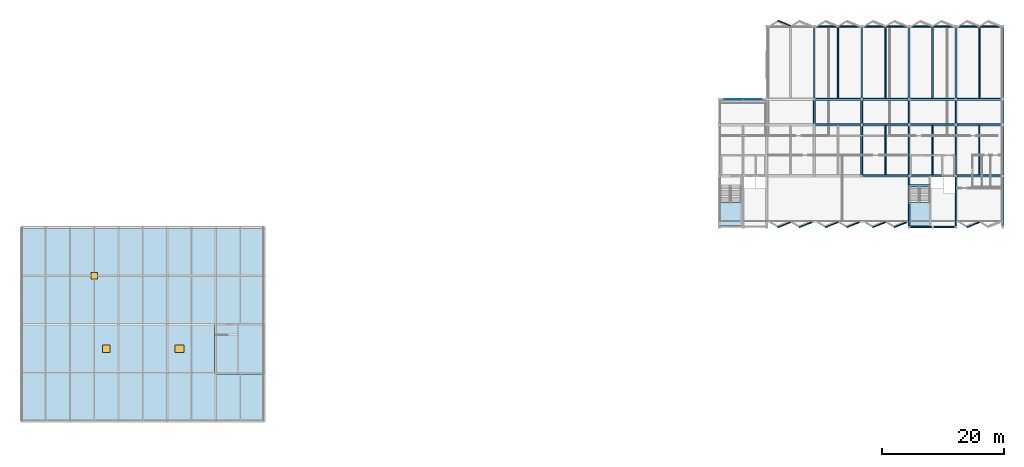
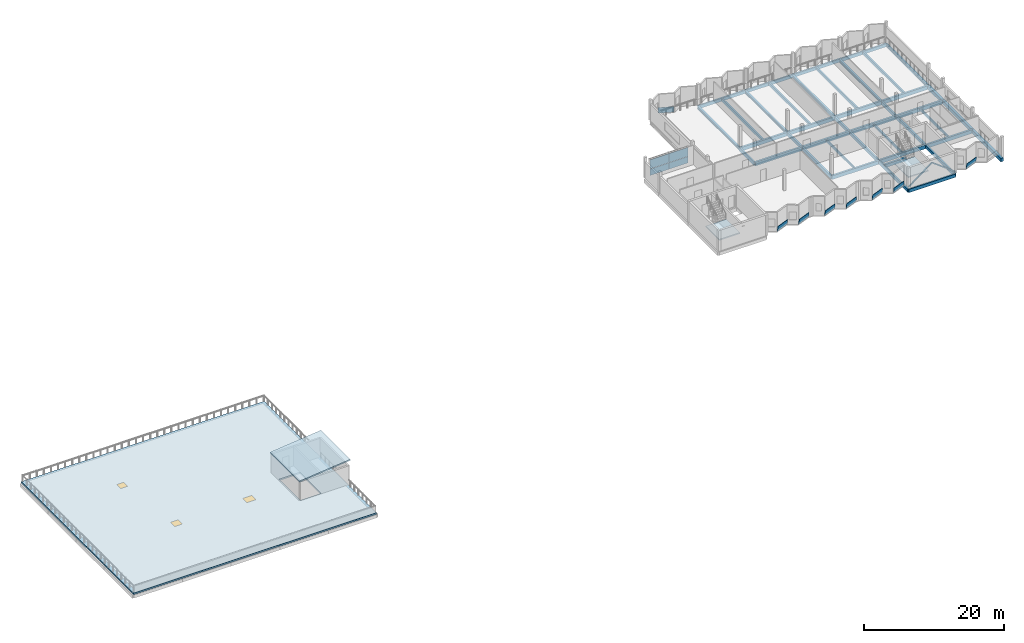
# One storey, part 4 of 15: 41 beams, 12 plates, 4 slabs, 2 members, 2 windows, 1 door, 3 openings, 3 elements without a shape of their own.
"""IFC4 building model written with IfcOpenShell, lengths in metres."""

from ifc_helpers import new_model, si_unit, direction, frame, origin, origin_2d, place, context, subcontext, project, spatial, polyline, rectangle, hollow_rectangle, i_section, outline, extrude, material, layer, layer_set, material_profile, profile_set, type_object, element, fill, aggregate, save


model = new_model("IFC4")

# Units and contexts
model_context = context("Model", 3, precision=1e-05, world=origin(), true_north=direction((0.0, 1.0)))
body_context = subcontext(model_context, "Body", "Model", "MODEL_VIEW")
ifc_project = project(units=[si_unit("LENGTHUNIT", "METRE"), si_unit("AREAUNIT", "SQUARE_METRE"), si_unit("VOLUMEUNIT", "CUBIC_METRE"), si_unit("PLANEANGLEUNIT", "RADIAN"), si_unit("MASSUNIT", "GRAM", prefix="KILO")], contexts=[model_context])

# Site, building, storey
site_placement = place(None, origin())
site = spatial("IfcSite", under=ifc_project, at=site_placement, CompositionType="ELEMENT")
building_placement = place(site_placement, origin())
building = spatial("IfcBuilding", under=site, at=building_placement, Name="Vharandega Faculty of Natural Sciences", CompositionType="ELEMENT")
storey_placement = place(building_placement, frame((0.0, 0.0, 32.39990234375)))
storey = spatial("IfcBuildingStorey", under=building, at=storey_placement, Name="L08", CompositionType="ELEMENT", Elevation=32.39990234375)

# Beams
ifc_material_1 = material(Name="Glulam GL28h", Category="wood")
ifc_material_profile_1 = material_profile(ifc_material_1, rectangle(XDim=0.280029296875, YDim=0.56005859375, at=origin_2d()), Name="GL28h 280x560")
ifc_profile_set_1 = profile_set([ifc_material_profile_1], Name="Glulam GL28h")
beam_type_1 = type_object("IfcBeamType", Name="Glulam Floor Beam 280x560", PredefinedType="BEAM", material=ifc_profile_set_1)
beam_1_placement = place(storey_placement, frame((130.39990234375, 80.800048828125, -0.5), z_axis=(0.0, 1.0, 0.0), x_axis=(-1.0, 0.0, 0.0)))
element("IfcBeam", 1, at=beam_1_placement, inside=storey, type_object=beam_type_1, Name="Beam L08 17/L-M", PredefinedType="BEAM", context=body_context, shape_type="SweptSolid", body=[
    extrude(rectangle(XDim=0.280029296875, YDim=0.56005859375, at=origin_2d()), origin(), (0.0, 0.0, 1.0), 4.199951171875),
])
beam_2_placement = place(storey_placement, frame((138.199951171875, 72.39990234375, -0.5), z_axis=(0.0, 1.0, 0.0), x_axis=(-1.0, 0.0, 0.0)))
element("IfcBeam", 2, at=beam_2_placement, inside=storey, type_object=beam_type_1, Name="Beam L08 18/K-L", PredefinedType="BEAM", context=body_context, shape_type="SweptSolid", body=[
    extrude(rectangle(XDim=0.280029296875, YDim=0.56005859375, at=origin_2d()), origin(), (0.0, 0.0, 1.0), 8.400146484375),
])
beam_3_placement = place(storey_placement, frame((138.199951171875, 80.800048828125, -0.5), z_axis=(0.0, 1.0, 0.0), x_axis=(-1.0, 0.0, 0.0)))
element("IfcBeam", 3, at=beam_3_placement, inside=storey, type_object=beam_type_1, Name="Beam L08 18/L-M", PredefinedType="BEAM", context=body_context, shape_type="SweptSolid", body=[
    extrude(rectangle(XDim=0.280029296875, YDim=0.56005859375, at=origin_2d()), origin(), (0.0, 0.0, 1.0), 4.199951171875),
])
beam_4_placement = place(storey_placement, frame((146.0, 64.0, -0.5), z_axis=(0.0, 1.0, 0.0), x_axis=(-1.0, 0.0, 0.0)))
element("IfcBeam", 4, at=beam_4_placement, inside=storey, type_object=beam_type_1, Name="Beam L08 19/J-K", PredefinedType="BEAM", context=body_context, shape_type="SweptSolid", body=[
    extrude(rectangle(XDim=0.280029296875, YDim=0.56005859375, at=origin_2d()), origin(), (0.0, 0.0, 1.0), 8.39990234375),
])
beam_5_placement = place(storey_placement, frame((146.0, 72.39990234375, -0.5), z_axis=(0.0, 1.0, 0.0), x_axis=(-1.0, 0.0, 0.0)))
element("IfcBeam", 5, at=beam_5_placement, inside=storey, type_object=beam_type_1, Name="Beam L08 19/K-L", PredefinedType="BEAM", context=body_context, shape_type="SweptSolid", body=[
    extrude(rectangle(XDim=0.280029296875, YDim=0.56005859375, at=origin_2d()), origin(), (0.0, 0.0, 1.0), 8.400146484375),
])
beam_6_placement = place(storey_placement, frame((146.0, 80.800048828125, -0.5), z_axis=(0.0, 1.0, 0.0), x_axis=(-1.0, 0.0, 0.0)))
element("IfcBeam", 6, at=beam_6_placement, inside=storey, type_object=beam_type_1, Name="Beam L08 19/L-M", PredefinedType="BEAM", context=body_context, shape_type="SweptSolid", body=[
    extrude(rectangle(XDim=0.280029296875, YDim=0.56005859375, at=origin_2d()), origin(), (0.0, 0.0, 1.0), 4.199951171875),
])
beam_7_placement = place(storey_placement, frame((153.699951171875, 64.0, -0.5), z_axis=(0.0, 1.0, 0.0), x_axis=(-1.0, 0.0, 0.0)))
element("IfcBeam", 7, at=beam_7_placement, inside=storey, type_object=beam_type_1, Name="Beam L08 20/J-K", PredefinedType="BEAM", context=body_context, shape_type="SweptSolid", body=[
    extrude(rectangle(XDim=0.280029296875, YDim=0.56005859375, at=origin_2d()), origin(), (0.0, 0.0, 1.0), 8.39990234375),
])
beam_8_placement = place(storey_placement, frame((153.699951171875, 72.39990234375, -0.5), z_axis=(0.0, 1.0, 0.0), x_axis=(-1.0, 0.0, 0.0)))
element("IfcBeam", 8, at=beam_8_placement, inside=storey, type_object=beam_type_1, Name="Beam L08 20/K-L", PredefinedType="BEAM", context=body_context, shape_type="SweptSolid", body=[
    extrude(rectangle(XDim=0.280029296875, YDim=0.56005859375, at=origin_2d()), origin(), (0.0, 0.0, 1.0), 8.400146484375),
])
beam_9_placement = place(storey_placement, frame((153.699951171875, 80.800048828125, -0.5), z_axis=(0.0, 1.0, 0.0), x_axis=(-1.0, 0.0, 0.0)))
element("IfcBeam", 9, at=beam_9_placement, inside=storey, type_object=beam_type_1, Name="Beam L08 20/L-M", PredefinedType="BEAM", context=body_context, shape_type="SweptSolid", body=[
    extrude(rectangle(XDim=0.280029296875, YDim=0.56005859375, at=origin_2d()), origin(), (0.0, 0.0, 1.0), 4.199951171875),
])
ifc_material_2 = material(Name="Glulam GL28h", Category="wood")
ifc_material_profile_2 = material_profile(ifc_material_2, rectangle(XDim=0.320068359375, YDim=0.639892578125, at=origin_2d()), Name="GL28h 320x640")
ifc_profile_set_2 = profile_set([ifc_material_profile_2], Name="Glulam GL28h")
beam_type_2 = type_object("IfcBeamType", Name="Glulam Floor Beam 320x640", PredefinedType="BEAM", material=ifc_profile_set_2)
beam_10_placement = place(storey_placement, frame((138.199951171875, 72.39990234375, -0.539794921875), z_axis=(1.0, 0.0, 0.0), x_axis=(0.0, 1.0, 0.0)))
element("IfcBeam", 10, at=beam_10_placement, inside=storey, type_object=beam_type_2, Name="Beam L08 K/18-19", PredefinedType="BEAM", context=body_context, shape_type="SweptSolid", body=[
    extrude(rectangle(XDim=0.320068359375, YDim=0.639892578125, at=origin_2d()), origin(), (0.0, 0.0, 1.0), 7.800048828125),
])
for number, where, z_axis, x_axis, name in (
    (11, (146.0, 72.39990234375, -0.539794921875), (1.0, 0.0, 0.0), (0.0, 1.0, 0.0), "Beam L08 K/19-20"),
    (12, (153.699951171875, 72.39990234375, -0.539794921875), (1.0, 0.0, 0.0), (0.0, 1.0, 0.0), "Beam L08 K/20-21"),
):
    element("IfcBeam", number, at=place(storey_placement, frame(where, z_axis=z_axis, x_axis=x_axis)), inside=storey, type_object=beam_type_2, Name=name, PredefinedType="BEAM", context=body_context, shape_type="SweptSolid", body=[
        extrude(rectangle(XDim=0.320068359375, YDim=0.639892578125, at=origin_2d()), origin(), (0.0, 0.0, 1.0), 7.699951171875),
    ])
for number, where, z_axis, x_axis, name in (
    (13, (130.39990234375, 80.800048828125, -0.539794921875), (1.0, 0.0, 0.0), (0.0, 1.0, 0.0), "Beam L08 L/17-18"),
    (14, (138.199951171875, 80.800048828125, -0.539794921875), (1.0, 0.0, 0.0), (0.0, 1.0, 0.0), "Beam L08 L/18-19"),
):
    element("IfcBeam", number, at=place(storey_placement, frame(where, z_axis=z_axis, x_axis=x_axis)), inside=storey, type_object=beam_type_2, Name=name, PredefinedType="BEAM", context=body_context, shape_type="SweptSolid", body=[
        extrude(rectangle(XDim=0.320068359375, YDim=0.639892578125, at=origin_2d()), origin(), (0.0, 0.0, 1.0), 7.800048828125),
    ])
for number, where, z_axis, x_axis, name in (
    (15, (146.0, 80.800048828125, -0.539794921875), (1.0, 0.0, 0.0), (0.0, 1.0, 0.0), "Beam L08 L/19-20"),
    (16, (153.699951171875, 80.800048828125, -0.539794921875), (1.0, 0.0, 0.0), (0.0, 1.0, 0.0), "Beam L08 L/20-21"),
):
    element("IfcBeam", number, at=place(storey_placement, frame(where, z_axis=z_axis, x_axis=x_axis)), inside=storey, type_object=beam_type_2, Name=name, PredefinedType="BEAM", context=body_context, shape_type="SweptSolid", body=[
        extrude(rectangle(XDim=0.320068359375, YDim=0.639892578125, at=origin_2d()), origin(), (0.0, 0.0, 1.0), 7.699951171875),
    ])
for number, where, z_axis, x_axis, name in (
    (17, (130.39990234375, 85.0, -0.539794921875), (1.0, 0.0, 0.0), (0.0, 1.0, 0.0), "Beam L08 M/17-18"),
    (18, (138.199951171875, 85.0, -0.539794921875), (1.0, 0.0, 0.0), (0.0, 1.0, 0.0), "Beam L08 M/18-19"),
):
    element("IfcBeam", number, at=place(storey_placement, frame(where, z_axis=z_axis, x_axis=x_axis)), inside=storey, type_object=beam_type_2, Name=name, PredefinedType="BEAM", context=body_context, shape_type="SweptSolid", body=[
        extrude(rectangle(XDim=0.320068359375, YDim=0.639892578125, at=origin_2d()), origin(), (0.0, 0.0, 1.0), 7.800048828125),
    ])
for number, where, z_axis, x_axis, name in (
    (19, (146.0, 85.0, -0.539794921875), (1.0, 0.0, 0.0), (0.0, 1.0, 0.0), "Beam L08 M/19-20"),
    (20, (153.699951171875, 85.0, -0.539794921875), (1.0, 0.0, 0.0), (0.0, 1.0, 0.0), "Beam L08 M/20-21"),
):
    element("IfcBeam", number, at=place(storey_placement, frame(where, z_axis=z_axis, x_axis=x_axis)), inside=storey, type_object=beam_type_2, Name=name, PredefinedType="BEAM", context=body_context, shape_type="SweptSolid", body=[
        extrude(rectangle(XDim=0.320068359375, YDim=0.639892578125, at=origin_2d()), origin(), (0.0, 0.0, 1.0), 7.699951171875),
    ])
ifc_material_3 = material(Name="Glulam GL28h", Category="wood")
ifc_material_profile_3 = material_profile(ifc_material_3, rectangle(XDim=0.199951171875, YDim=0.39990234375, at=origin_2d()), Name="GL28h 200x400")
ifc_profile_set_3 = profile_set([ifc_material_profile_3], Name="Glulam GL28h")
beam_type_3 = type_object("IfcBeamType", Name="Glulam Secondary Joist 200x400", PredefinedType="JOIST", material=ifc_profile_set_3)
for number, where, z_axis, x_axis, name in (
    (21, (142.10009765625, 72.56005859375, -0.419921875), (0.0, 1.0, 0.0), (-1.0, 0.0, 0.0), "Secondary Joist L08 18-19/K-L"),
    (22, (149.85009765625, 72.56005859375, -0.419921875), (0.0, 1.0, 0.0), (-1.0, 0.0, 0.0), "Secondary Joist L08 19-20/K-L"),
    (23, (157.550048828125, 72.56005859375, -0.419921875), (0.0, 1.0, 0.0), (-1.0, 0.0, 0.0), "Secondary Joist L08 20-21/K-L"),
):
    element("IfcBeam", number, at=place(storey_placement, frame(where, z_axis=z_axis, x_axis=x_axis)), inside=storey, type_object=beam_type_3, Name=name, PredefinedType="JOIST", context=body_context, shape_type="SweptSolid", body=[
        extrude(rectangle(XDim=0.199951171875, YDim=0.39990234375, at=origin_2d()), origin(), (0.0, 0.0, 1.0), 8.079833984375),
    ])
ifc_material_4 = material(Name="Glulam GL28h", Category="wood")
ifc_material_profile_4 = material_profile(ifc_material_4, rectangle(XDim=0.239990234375, YDim=0.47998046875, at=origin_2d()), Name="GL28h 240x480")
ifc_profile_set_4 = profile_set([ifc_material_profile_4], Name="Glulam GL28h")
beam_type_4 = type_object("IfcBeamType", Name="Glulam Secondary Joist 240x480", PredefinedType="JOIST", material=ifc_profile_set_4)
for number, where, z_axis, x_axis, name in (
    (24, (134.300048828125, 85.159912109375, -0.4599609375), (0.0, 1.0, 0.0), (-1.0, 0.0, 0.0), "Secondary Joist L08 17-18/M-N"),
    (25, (142.10009765625, 85.159912109375, -0.4599609375), (0.0, 1.0, 0.0), (-1.0, 0.0, 0.0), "Secondary Joist L08 18-19/M-N"),
    (26, (149.85009765625, 85.159912109375, -0.4599609375), (0.0, 1.0, 0.0), (-1.0, 0.0, 0.0), "Secondary Joist L08 19-20/M-N"),
    (27, (157.550048828125, 85.159912109375, -0.4599609375), (0.0, 1.0, 0.0), (-1.0, 0.0, 0.0), "Secondary Joist L08 20-21/M-N"),
):
    element("IfcBeam", number, at=place(storey_placement, frame(where, z_axis=z_axis, x_axis=x_axis)), inside=storey, type_object=beam_type_4, Name=name, PredefinedType="JOIST", context=body_context, shape_type="SweptSolid", body=[
        extrude(rectangle(XDim=0.239990234375, YDim=0.47998046875, at=origin_2d()), origin(), (0.0, 0.0, 1.0), 11.719970703125),
    ])
ifc_material_5 = material(Name="Glulam GL28h", Category="wood")
ifc_material_profile_5 = material_profile(ifc_material_5, rectangle(XDim=0.239990234375, YDim=0.56005859375, at=origin_2d()), Name="GL28h 240x560")
ifc_profile_set_5 = profile_set([ifc_material_profile_5], Name="Glulam GL28h")
beam_type_5 = type_object("IfcBeamType", Name="Glulam Spandrel Edge Beam 240x560", PredefinedType="SPANDREL", material=ifc_profile_set_5)
beam_11_placement = place(storey_placement, frame((146.0, 64.0, -0.5), z_axis=(1.0, 0.0, 0.0), x_axis=(0.0, 1.0, 0.0)))
element("IfcBeam", 28, at=beam_11_placement, inside=storey, type_object=beam_type_5, Name="Beam L08 J/19-20", PredefinedType="SPANDREL", context=body_context, shape_type="SweptSolid", body=[
    extrude(rectangle(XDim=0.239990234375, YDim=0.56005859375, at=origin_2d()), origin(), (0.0, 0.0, 1.0), 7.699951171875),
])
for number, where, z_axis, x_axis, name in (
    (29, (130.39990234375, 97.0, -0.5), (1.0, 0.0, 0.0), (0.0, 1.0, 0.0), "Beam L08 N/17-18"),
    (30, (138.199951171875, 97.0, -0.5), (1.0, 0.0, 0.0), (0.0, 1.0, 0.0), "Beam L08 N/18-19"),
):
    element("IfcBeam", number, at=place(storey_placement, frame(where, z_axis=z_axis, x_axis=x_axis)), inside=storey, type_object=beam_type_5, Name=name, PredefinedType="SPANDREL", context=body_context, shape_type="SweptSolid", body=[
        extrude(rectangle(XDim=0.239990234375, YDim=0.56005859375, at=origin_2d()), origin(), (0.0, 0.0, 1.0), 7.800048828125),
    ])
for number, where, z_axis, x_axis, name in (
    (31, (146.0, 97.0, -0.5), (1.0, 0.0, 0.0), (0.0, 1.0, 0.0), "Beam L08 N/19-20"),
    (32, (153.699951171875, 97.0, -0.5), (1.0, 0.0, 0.0), (0.0, 1.0, 0.0), "Beam L08 N/20-21"),
):
    element("IfcBeam", number, at=place(storey_placement, frame(where, z_axis=z_axis, x_axis=x_axis)), inside=storey, type_object=beam_type_5, Name=name, PredefinedType="SPANDREL", context=body_context, shape_type="SweptSolid", body=[
        extrude(rectangle(XDim=0.239990234375, YDim=0.56005859375, at=origin_2d()), origin(), (0.0, 0.0, 1.0), 7.699951171875),
    ])
ifc_material_6 = material(Name="Glulam GL32h", Category="wood")
ifc_material_profile_6 = material_profile(ifc_material_6, rectangle(XDim=0.39990234375, YDim=0.60009765625, at=origin_2d()), Name="GL32h 400x600")
ifc_profile_set_6 = profile_set([ifc_material_profile_6], Name="Glulam GL32h")
beam_type_6 = type_object("IfcBeamType", Name="Glulam Spine Girder 400x600", PredefinedType="BEAM", material=ifc_profile_set_6)
beam_12_placement = place(storey_placement, frame((161.39990234375, 64.0, -0.52001953125), z_axis=(0.0, 1.0, 0.0), x_axis=(-1.0, 0.0, 0.0)))
element("IfcBeam", 33, at=beam_12_placement, inside=storey, type_object=beam_type_6, Name="Beam L08 21/J-K", PredefinedType="BEAM", context=body_context, shape_type="SweptSolid", body=[
    extrude(rectangle(XDim=0.39990234375, YDim=0.60009765625, at=origin_2d()), origin(), (0.0, 0.0, 1.0), 8.39990234375),
])
beam_13_placement = place(storey_placement, frame((161.39990234375, 72.39990234375, -0.52001953125), z_axis=(0.0, 1.0, 0.0), x_axis=(-1.0, 0.0, 0.0)))
element("IfcBeam", 34, at=beam_13_placement, inside=storey, type_object=beam_type_6, Name="Beam L08 21/K-L", PredefinedType="BEAM", context=body_context, shape_type="SweptSolid", body=[
    extrude(rectangle(XDim=0.39990234375, YDim=0.60009765625, at=origin_2d()), origin(), (0.0, 0.0, 1.0), 8.400146484375),
])
beam_14_placement = place(storey_placement, frame((161.39990234375, 80.800048828125, -0.52001953125), z_axis=(0.0, 1.0, 0.0), x_axis=(-1.0, 0.0, 0.0)))
element("IfcBeam", 35, at=beam_14_placement, inside=storey, type_object=beam_type_6, Name="Beam L08 21/L-M", PredefinedType="BEAM", context=body_context, shape_type="SweptSolid", body=[
    extrude(rectangle(XDim=0.39990234375, YDim=0.60009765625, at=origin_2d()), origin(), (0.0, 0.0, 1.0), 4.199951171875),
])
ifc_material_7 = material(Name="Concrete C40/50", Category="concrete")
ifc_material_profile_7 = material_profile(ifc_material_7, rectangle(XDim=0.35009765625, YDim=0.550048828125, at=origin_2d()), Name="RC 350x550")
ifc_profile_set_7 = profile_set([ifc_material_profile_7], Name="Concrete C40/50")
beam_type_7 = type_object("IfcBeamType", Name="Stair Header Trimmer Beam 350x550", PredefinedType="BEAM", material=ifc_profile_set_7)
beam_15_placement = place(storey_placement, frame((146.0, 70.800048828125, -0.27490234375), z_axis=(1.0, 0.0, 0.0), x_axis=(0.0, 1.0, 0.0)))
element("IfcBeam", 36, at=beam_15_placement, inside=storey, type_object=beam_type_7, Name="Stair Landing Trimmer Beam C2 L08", PredefinedType="BEAM", context=body_context, shape_type="SweptSolid", body=[
    extrude(rectangle(XDim=0.35009765625, YDim=0.550048828125, at=origin_2d()), origin(), (0.0, 0.0, 1.0), 3.4599609375),
])
ifc_material_8 = material(Name="Steel S355", Category="steel")
ifc_material_profile_8 = material_profile(ifc_material_8, i_section(OverallWidth=0.300048828125, OverallDepth=0.5, WebThickness=0.014404296875, FlangeThickness=0.028076171875, FilletRadius=0.027099609375, at=origin_2d()), Name="HEB 500")
ifc_profile_set_8 = profile_set([ifc_material_profile_8], Name="Steel S355")
beam_type_8 = type_object("IfcBeamType", Name="Steel Collector Beam HEB 500", PredefinedType="BEAM", material=ifc_profile_set_8)
for number, where, z_axis, x_axis, name in (
    (37, (130.39990234375, 85.0, -0.469970703125), (0.0, 1.0, 0.0), (-1.0, 0.0, 0.0), "Beam L08 17/M-N"),
    (38, (138.199951171875, 85.0, -0.469970703125), (0.0, 1.0, 0.0), (-1.0, 0.0, 0.0), "Beam L08 18/M-N"),
    (39, (146.0, 85.0, -0.469970703125), (0.0, 1.0, 0.0), (-1.0, 0.0, 0.0), "Beam L08 19/M-N"),
    (40, (153.699951171875, 85.0, -0.469970703125), (0.0, 1.0, 0.0), (-1.0, 0.0, 0.0), "Beam L08 20/M-N"),
    (41, (161.39990234375, 85.0, -0.469970703125), (0.0, 1.0, 0.0), (-1.0, 0.0, 0.0), "Beam L08 21/M-N"),
):
    element("IfcBeam", number, at=place(storey_placement, frame(where, z_axis=z_axis, x_axis=x_axis)), inside=storey, type_object=beam_type_8, Name=name, PredefinedType="BEAM", context=body_context, shape_type="SweptSolid", body=[
        extrude(i_section(OverallWidth=0.300048828125, OverallDepth=0.5, WebThickness=0.014404296875, FlangeThickness=0.028076171875, FilletRadius=0.027099609375, at=origin_2d()), origin(), (0.0, 0.0, 1.0), 12.0),
    ])

# Members
ifc_material_9 = material(Name="Steel S355", Category="steel")
ifc_material_profile_9 = material_profile(ifc_material_9, hollow_rectangle(XDim=0.179931640625, YDim=0.179931640625, WallThickness=0.010009765625, at=origin_2d()), Name="SHS 180x180x10")
ifc_profile_set_9 = profile_set([ifc_material_profile_9], Name="Steel S355")
member_type = type_object("IfcMemberType", Name="Timber Frame Diagonal Brace SHS 180", PredefinedType="BRACE", material=ifc_profile_set_9)
member_1_placement = place(storey_placement, frame((146.0, 64.0, 0.150146484375), z_axis=(0.798770538242, 0.0, 0.601635792849), x_axis=(0.0, 1.0, 0.0)))
element("IfcMember", 42, at=member_1_placement, inside=storey, type_object=member_type, Name="Chevron Brace J2 L08-1", PredefinedType="BRACE", context=body_context, shape_type="SweptSolid", body=[
    extrude(hollow_rectangle(XDim=0.179931640625, YDim=0.179931640625, WallThickness=0.010009765625, at=origin_2d()), origin(), (0.0, 0.0, 1.0), 4.820068359375),
])
member_2_placement = place(storey_placement, frame((153.699951171875, 64.0, 0.150146484375), z_axis=(-0.79875220311, 0.0, 0.601660134982), x_axis=(0.0, -1.0, 0.0)))
element("IfcMember", 43, at=member_2_placement, inside=storey, type_object=member_type, Name="Chevron Brace J2 L08-2", PredefinedType="BRACE", context=body_context, shape_type="SweptSolid", body=[
    extrude(hollow_rectangle(XDim=0.179931640625, YDim=0.179931640625, WallThickness=0.010009765625, at=origin_2d()), origin(), (0.0, 0.0, 1.0), 4.81982421875),
])

# Curtain wall, plates
ifc_material_10 = material(Name="Aluminium and solar-control glass curtain wall", Category="aluminium")
curtain_wall_type = type_object("IfcCurtainWallType", Name="Unitised Curtain Wall System CW-02", PredefinedType="NOTDEFINED", material=ifc_material_10)
curtain_wall_placement = place(storey_placement, origin())
curtain_wall = element("IfcCurtainWall", 44, at=curtain_wall_placement, inside=storey, type_object=curtain_wall_type, Name="Curtain Wall CW-L08-029", PredefinedType="NOTDEFINED")
ifc_material_11 = material(Name="Double-glazed low-E solar glass", Category="glass")
ifc_layer_1 = layer(ifc_material_11, 0.028076171875, Name="Double-glazed low-E solar glass")
ifc_layer_set_1 = layer_set([ifc_layer_1], Name="Double-glazed low-E solar glass")
plate_type_1 = type_object("IfcPlateType", Name="CW Solar Vision Panel 28mm", PredefinedType="CURTAIN_PANEL", material=ifc_layer_set_1)
plate_1_placement = place(storey_placement, frame((117.135009765625, 85.0, 0.06005859375), z_axis=(0.0, 0.0, 1.0), x_axis=(1.0, 0.0, 0.0)))
plate_1 = element("IfcPlate", 45, at=plate_1_placement, type_object=plate_type_1, Name="CW-02 panel 1.1", PredefinedType="CURTAIN_PANEL", context=body_context, shape_type="SweptSolid", body=[
    extrude(rectangle(XDim=3.070068359375, YDim=0.028076171875, at=origin_2d()), origin(), (0.0, 0.0, 1.0), 1.102783203125),
])
plate_2_placement = place(storey_placement, frame((117.135009765625, 85.0, 1.222900390625), z_axis=(0.0, 0.0, 1.0), x_axis=(1.0, 0.0, 0.0)))
plate_2 = element("IfcPlate", 46, at=plate_2_placement, type_object=plate_type_1, Name="CW-02 panel 1.2", PredefinedType="CURTAIN_PANEL", context=body_context, shape_type="SweptSolid", body=[
    extrude(rectangle(XDim=3.070068359375, YDim=0.028076171875, at=origin_2d()), origin(), (0.0, 0.0, 1.0), 1.55712890625),
])
plate_3_placement = place(storey_placement, frame((120.264892578125, 85.0, 0.06005859375), z_axis=(0.0, 0.0, 1.0), x_axis=(1.0, 0.0, 0.0)))
plate_3 = element("IfcPlate", 47, at=plate_3_placement, type_object=plate_type_1, Name="CW-02 panel 2.1", PredefinedType="CURTAIN_PANEL", context=body_context, shape_type="SweptSolid", body=[
    extrude(rectangle(XDim=3.070068359375, YDim=0.028076171875, at=origin_2d()), origin(), (0.0, 0.0, 1.0), 1.102783203125),
])
plate_4_placement = place(storey_placement, frame((120.264892578125, 85.0, 1.222900390625), z_axis=(0.0, 0.0, 1.0), x_axis=(1.0, 0.0, 0.0)))
plate_4 = element("IfcPlate", 48, at=plate_4_placement, type_object=plate_type_1, Name="CW-02 panel 2.2", PredefinedType="CURTAIN_PANEL", context=body_context, shape_type="SweptSolid", body=[
    extrude(rectangle(XDim=3.070068359375, YDim=0.028076171875, at=origin_2d()), origin(), (0.0, 0.0, 1.0), 1.55712890625),
])
aggregate(curtain_wall, [plate_1, plate_2, plate_3, plate_4])

# Slab
ifc_material_12 = material(Name="Concrete C40/50", Category="concrete")
ifc_layer_2 = layer(ifc_material_12, 0.219970703125, Name="Concrete C40/50")
ifc_layer_set_2 = layer_set([ifc_layer_2], Name="Concrete C40/50")
slab_type_1 = type_object("IfcSlabType", Name="ROOF-CORE-220", PredefinedType="ROOF", material=ifc_layer_set_2)
slab_1_placement = place(storey_placement, frame((31.820068359375, 39.820068359375, 3.60009765625), z_axis=(-0.104529060092, 0.0, 0.994521832639), x_axis=(0.994521832639, 0.0, 0.104529060092)))
element("IfcSlab", 49, at=slab_1_placement, inside=storey, type_object=slab_type_1, Name="Core C3 Overrun Roof Slab", PredefinedType="ROOF", context=body_context, shape_type="SweptSolid", body=[
    extrude(outline(polyline([(0.0, 0.0), (8.40591227551438, 0.0), (8.40591227551438, 8.359863281249998), (0.0, 8.359863281249998), (0.0, 0.0)])), origin(), (0.0, 0.0, -1.0), 0.219970703125),
])

# Slab, openings, door, windows
ifc_material_13 = material(Name="Cross-laminated timber CLT7-240", Category="wood")
ifc_layer_3 = layer(ifc_material_13, 0.260009765625, Name="Cross-laminated timber CLT7-240")
ifc_layer_set_3 = layer_set([ifc_layer_3], Name="Cross-laminated timber CLT7-240")
slab_type_2 = type_object("IfcSlabType", Name="ROOF-GARDEN-260", PredefinedType="ROOF", material=ifc_layer_set_3)
slab_2_placement = place(storey_placement, frame((0.0, 0.0, -0.260009765625)))
slab_2 = element("IfcSlab", 50, at=slab_2_placement, inside=storey, type_object=slab_type_2, Name="L08 V5 Roof Slab", PredefinedType="ROOF", context=body_context, shape_type="SweptSolid", body=[
    extrude(outline(polyline([(0.0, 32.0), (40.0, 32.0), (40.0, 64.0), (0.0, 64.0), (0.0, 32.0)]), holes=[polyline([(32.139892578125, 46.14501953125), (32.139892578125, 40.139892578125), (35.56005859375, 40.139892578125), (35.56005859375, 46.14501953125), (32.139892578125, 46.14501953125)])]), origin(), (0.0, 0.0, 1.0), 0.260009765625),
])
opening_1_placement = place(slab_2_placement, frame((14.0, 44.0, 0.0)))
opening_1 = element("IfcOpeningElement", 51, at=opening_1_placement, cuts=slab_2, Name="Opening RH-01", PredefinedType="OPENING", context=body_context, shape_type="SweptSolid", body=[
    extrude(rectangle(XDim=1.199951171875, YDim=1.199951171875, at=origin_2d()), origin(), (0.0, 0.0, 1.0), 0.260009765625),
])
opening_2_placement = place(slab_2_placement, frame((26.0, 44.0, 0.0)))
opening_2 = element("IfcOpeningElement", 52, at=opening_2_placement, cuts=slab_2, Name="Opening RH-02", PredefinedType="OPENING", context=body_context, shape_type="SweptSolid", body=[
    extrude(rectangle(XDim=1.5, YDim=1.199951171875, at=origin_2d()), origin(), (0.0, 0.0, 1.0), 0.260009765625),
])
opening_3_placement = place(slab_2_placement, frame((12.0, 56.0, 0.0)))
opening_3 = element("IfcOpeningElement", 53, at=opening_3_placement, cuts=slab_2, Name="Opening TD-R05", PredefinedType="OPENING", context=body_context, shape_type="SweptSolid", body=[
    extrude(rectangle(XDim=1.10009765625, YDim=1.10009765625, at=origin_2d()), origin(), (0.0, 0.0, 1.0), 0.260009765625),
])
ifc_material_14 = material(Name="Thermally broken glazed aluminium door", Category="aluminium")
door_type = type_object("IfcDoorType", Name="ROOF-ACCESS-TRAPDOOR-1100x1100", OperationType="SINGLE_SWING_LEFT", PredefinedType="TRAPDOOR", material=ifc_material_14)
door_placement = place(opening_3_placement, frame((0.0, 0.0, 0.2099609375)))
door = element("IfcDoor", 54, at=door_placement, inside=storey, type_object=door_type, Name="Roof Access Trapdoor TD-R05", OperationType="SINGLE_SWING_LEFT", OverallHeight=1.10009765625, OverallWidth=1.10009765625, PredefinedType="TRAPDOOR", context=body_context, shape_type="SweptSolid", body=[
    extrude(rectangle(XDim=1.10009765625, YDim=1.10009765625, at=origin_2d()), origin(), (0.0, 0.0, 1.0), 0.050048828125),
])
fill(opening_3, door)
ifc_material_15 = material(Name="Double-glazed solar-control glass in thermally broken aluminium frame", Category="aluminium")
window_type_1 = type_object("IfcWindowType", Name="SKY-HAT-120x120", PartitioningType="SINGLE_PANEL", PredefinedType="SKYLIGHT", material=ifc_material_15)
window_1_placement = place(opening_1_placement, frame((0.0, 0.0, 0.2099609375)))
window_1 = element("IfcWindow", 55, at=window_1_placement, inside=storey, type_object=window_type_1, Name="Roof Skylight 05", OverallHeight=1.199951171875, OverallWidth=1.199951171875, PartitioningType="SINGLE_PANEL", PredefinedType="SKYLIGHT", context=body_context, shape_type="SweptSolid", body=[
    extrude(rectangle(XDim=1.199951171875, YDim=1.199951171875, at=origin_2d()), origin(), (0.0, 0.0, 1.0), 0.050048828125),
])
fill(opening_1, window_1)
ifc_material_16 = material(Name="Double-glazed solar-control glass in thermally broken aluminium frame", Category="aluminium")
window_type_2 = type_object("IfcWindowType", Name="SKY-HAT-150x120", PartitioningType="SINGLE_PANEL", PredefinedType="SKYLIGHT", material=ifc_material_16)
window_2_placement = place(opening_2_placement, frame((0.0, 0.0, 0.2099609375)))
window_2 = element("IfcWindow", 56, at=window_2_placement, inside=storey, type_object=window_type_2, Name="Roof Skylight 06", OverallHeight=1.199951171875, OverallWidth=1.5, PartitioningType="SINGLE_PANEL", PredefinedType="SKYLIGHT", context=body_context, shape_type="SweptSolid", body=[
    extrude(rectangle(XDim=1.5, YDim=1.199951171875, at=origin_2d()), origin(), (0.0, 0.0, 1.0), 0.050048828125),
])
fill(opening_2, window_2)

# Plates
ifc_material_17 = material(Name="White precast concrete C40/50", Category="concrete")
ifc_layer_4 = layer(ifc_material_17, 0.080078125, Name="White precast concrete C40/50")
ifc_layer_set_4 = layer_set([ifc_layer_4], Name="White precast concrete C40/50")
plate_type_2 = type_object("IfcPlateType", Name="Sawtooth Tilted White Precast Prism 80", PredefinedType="USERDEFINED", material=ifc_layer_set_4)
plate_5_placement = place(storey_placement, frame((124.387939453125, 97.8798828125, 0.0), z_axis=(-0.382131449595, -0.917136682049, 0.113295461824), x_axis=(0.043496900523, 0.104613040576, 0.993561337506)))
element("IfcPlate", 57, at=plate_5_placement, inside=storey, type_object=plate_type_2, Name="Sawtooth Tilted Precast Prism L08 N01", ObjectType="FACADE PRISM", PredefinedType="USERDEFINED", context=body_context, shape_type="SweptSolid", body=[
    extrude(outline(polyline([(0.0, 0.0), (0.8858432830590729, -2.4123498337802474e-18), (0.8856386139049282, -2.2881047075821503), (-0.00017912886103543801, -2.288010811333226), (0.0, 0.0)])), origin(), (0.0, 0.0, -1.0), 0.080078125),
])
for number, where, z_axis, x_axis, name in (
    (58, (126.5, 64.8798828125, 0.0), (-0.36717261721, 0.923240898557, 0.113183534151), (0.041940043893, -0.105126399242, 0.993574090293), "Sawtooth Tilted Precast Prism L08 S01"),
    (59, (130.02001953125, 64.8798828125, 0.0), (-0.36717261721, 0.923240898557, 0.113183534151), (0.041940043893, -0.105126399242, 0.993574090293), "Sawtooth Tilted Precast Prism L08 S02"),
    (60, (134.300048828125, 64.8798828125, 0.0), (-0.36717261721, 0.923240898557, 0.113183534151), (0.041940043893, -0.105126399242, 0.993574090293), "Sawtooth Tilted Precast Prism L08 S03"),
    (61, (137.820068359375, 64.8798828125, 0.0), (-0.36717261721, 0.923240898557, 0.113183534151), (0.041940043893, -0.105126399242, 0.993574090293), "Sawtooth Tilted Precast Prism L08 S04"),
    (62, (142.10009765625, 64.8798828125, 0.0), (-0.36717261721, 0.923240898557, 0.113183534151), (0.041940043893, -0.105126399242, 0.993574090293), "Sawtooth Tilted Precast Prism L08 S05"),
):
    element("IfcPlate", number, at=place(storey_placement, frame(where, z_axis=z_axis, x_axis=x_axis)), inside=storey, type_object=plate_type_2, Name=name, ObjectType="FACADE PRISM", PredefinedType="USERDEFINED", context=body_context, shape_type="SweptSolid", body=[
        extrude(outline(polyline([(0.0, 0.0), (0.8858063086639586, 2.8189256484623115e-18), (0.885541811611994, -2.2730040332081765), (-0.0002901626767796289, -2.2729138085691347), (0.0, 0.0)])), origin(), (0.0, 0.0, -1.0), 0.080078125),
    ])
plate_6_placement = place(storey_placement, frame((145.6201171875, 64.8798828125, 0.0), z_axis=(-0.367193057396, 0.923238931261, 0.113133259493), x_axis=(0.041683493044, -0.105174327478, 0.993579814231)))
element("IfcPlate", 63, at=plate_6_placement, inside=storey, type_object=plate_type_2, Name="Sawtooth Tilted Precast Prism L08 S06", ObjectType="FACADE PRISM", PredefinedType="USERDEFINED", context=body_context, shape_type="SweptSolid", body=[
    extrude(outline(polyline([(0.0, 0.0), (0.8857961075491512, -4.038653092508504e-18), (0.8861239019883672, -2.2727771702079815), (0.0002919404791278668, -2.2729138056770015), (0.0, 0.0)])), origin(), (0.0, 0.0, -1.0), 0.080078125),
])
plate_7_placement = place(storey_placement, frame((157.550048828125, 64.8798828125, 0.0), z_axis=(-0.371754662438, 0.921417783443, 0.113082886903), x_axis=(0.042235924451, -0.104899344031, 0.993585554599)))
element("IfcPlate", 64, at=plate_7_placement, inside=storey, type_object=plate_type_2, Name="Sawtooth Tilted Precast Prism L08 S07", ObjectType="FACADE PRISM", PredefinedType="USERDEFINED", context=body_context, shape_type="SweptSolid", body=[
    extrude(outline(polyline([(0.0, 0.0), (0.8857909598393249, 1.5720931501039814e-18), (0.8859894254192983, -2.2449020398286774), (0.0001625438835664711, -2.245037104159077), (0.0, 0.0)])), origin(), (0.0, 0.0, -1.0), 0.080078125),
])

# Stair, slab
ifc_material_18 = material(Name="Concrete C40/50", Category="concrete")
stair_type_1 = type_object("IfcStairType", Name="Escape Dog-Leg Stair W165 H360", PredefinedType="HALF_TURN_STAIR", material=ifc_material_18)
stair_1_placement = place(storey_placement, origin())
stair_1 = element("IfcStair", 65, at=stair_1_placement, inside=storey, type_object=stair_type_1, Name="L08 Escape Stair ST1", PredefinedType="HALF_TURN_STAIR")
ifc_material_19 = material(Name="Concrete C40/50", Category="concrete")
ifc_layer_5 = layer(ifc_material_19, 0.199951171875, Name="Concrete C40/50")
ifc_layer_set_5 = layer_set([ifc_layer_5], Name="Concrete C40/50")
slab_type_3 = type_object("IfcSlabType", Name="Stair Half-Landing Slab 200", PredefinedType="LANDING", material=ifc_layer_set_5)
slab_3_placement = place(storey_placement, frame((0.0, 0.0, 1.60009765625)))
slab_3 = element("IfcSlab", 66, at=slab_3_placement, type_object=slab_type_3, Name="ST1 landing 1", PredefinedType="LANDING", context=body_context, shape_type="SweptSolid", body=[
    extrude(outline(polyline([(114.93994140625, 68.0), (114.93994140625, 64.139892578125), (118.360107421875, 64.139892578125), (118.360107421875, 68.0), (114.93994140625, 68.0)])), origin(), (0.0, 0.0, 1.0), 0.199951171875),
])
aggregate(stair_1, [slab_3])

ifc_material_20 = material(Name="Concrete C40/50", Category="concrete")
stair_type_2 = type_object("IfcStairType", Name="Escape Dog-Leg Stair W160 H360", PredefinedType="HALF_TURN_STAIR", material=ifc_material_20)
stair_2_placement = place(storey_placement, origin())
stair_2 = element("IfcStair", 67, at=stair_2_placement, inside=storey, type_object=stair_type_2, Name="L08 Escape Stair ST2", PredefinedType="HALF_TURN_STAIR")
slab_4_placement = place(storey_placement, frame((0.0, 0.0, 1.60009765625)))
slab_4 = element("IfcSlab", 68, at=slab_4_placement, type_object=slab_type_3, Name="ST2 landing 1", PredefinedType="LANDING", context=body_context, shape_type="SweptSolid", body=[
    extrude(outline(polyline([(146.06005859375, 68.050048828125), (146.06005859375, 64.139892578125), (149.3798828125, 64.139892578125), (149.3798828125, 68.050048828125), (146.06005859375, 68.050048828125)])), origin(), (0.0, 0.0, 1.0), 0.199951171875),
])
aggregate(stair_2, [slab_4])

save(model, "model.ifc")
